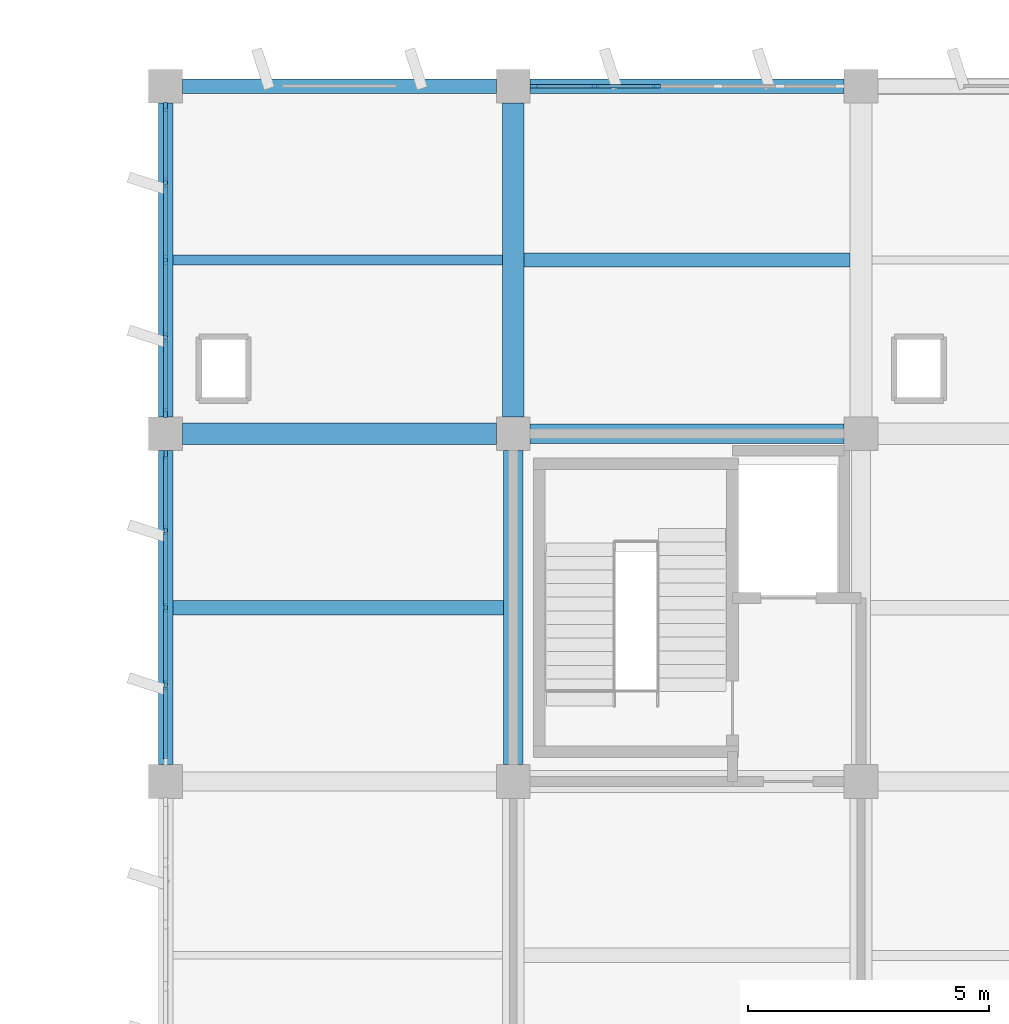
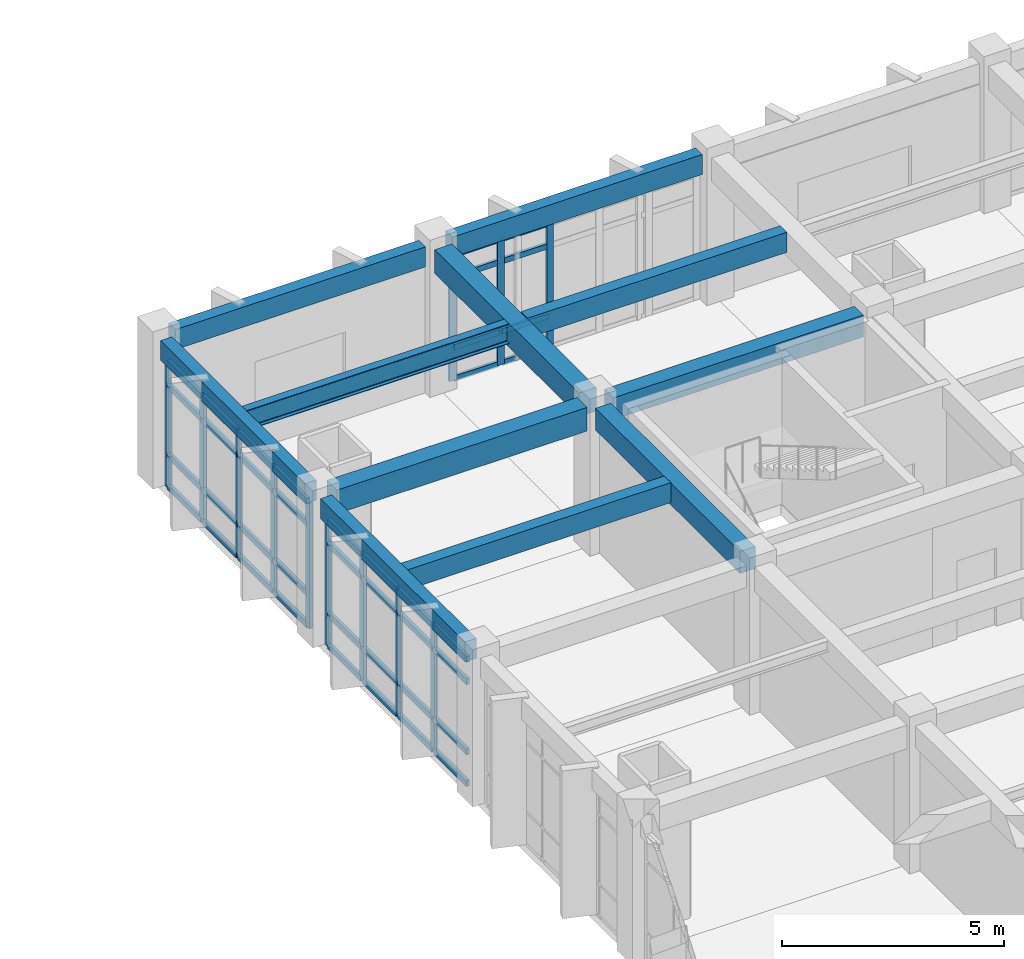
# One storey, part 20 of 70: 53 members, 10 beams, 3 elements without a shape of their own.
"""IFC4 building model written with IfcOpenShell, lengths in metres."""

import ifcopenshell
import ifcopenshell.guid

model = None  # the IFC model being written
_history = None  # IfcOwnerHistory: only IFC2X3 demands one
_inside = {}  # id of a spatial element -> (the spatial element, [elements in it])
_under = {}  # id of a project, library or spatial element -> (it, [spatial elements below it])
_declared = {}  # id of a project -> (the project, [libraries it declares])
_typed = {}  # id of a type object -> (the type object, [elements of that type])
_made_of = {}  # id of a material, layer set ... -> (it, [elements and type objects made of it])


def new_model(schema):
    """Start an empty IFC model of exactly this schema.

    Asked for "IFC4X3", IfcOpenShell would pick the latest addendum, in which some entities
    have other attributes; the version numbers below select the first issue.
    IFC2X3 requires an IfcOwnerHistory on every rooted entity: one is made here for all.
    """
    global model, _history
    if schema == "IFC4X3":
        model = ifcopenshell.file(schema_version=(4, 3, 0, 0))
    else:
        model = ifcopenshell.file(schema=schema)
    _inside.clear()
    _under.clear()
    _declared.clear()
    _typed.clear()
    _made_of.clear()
    _history = None
    if model.schema == "IFC2X3":
        org = make("IfcOrganization", Name="unknown")
        user = make(
            "IfcPersonAndOrganization",
            ThePerson=make("IfcPerson", FamilyName="unknown"),
            TheOrganization=org,
        )
        app = make(
            "IfcApplication",
            ApplicationDeveloper=org,
            Version="unknown",
            ApplicationFullName="unknown",
            ApplicationIdentifier="unknown",
        )
        _history = make(
            "IfcOwnerHistory",
            OwningUser=user,
            OwningApplication=app,
            ChangeAction="ADDED",
            CreationDate=0,
        )
    return model


def make(cls, **values):
    """One entity of the class cls with the attributes given. An attribute that is None is left unset."""
    return model.create_entity(
        cls, **{name: value for name, value in values.items() if value is not None}
    )


def rooted(cls, **values):
    """An entity with a GlobalId (a new one), such as an element, a storey or a relation."""
    return make(cls, GlobalId=ifcopenshell.guid.new(), OwnerHistory=_history, **values)


def si_unit(unit_type, name, prefix=None):
    """IfcSIUnit, for example si_unit("LENGTHUNIT", "METRE", prefix="MILLI")."""
    return make("IfcSIUnit", UnitType=unit_type, Prefix=prefix, Name=name)


def assignment(units):
    """IfcUnitAssignment: the units of a project."""
    return None if units is None else make("IfcUnitAssignment", Units=units)


def point(xyz):
    """IfcCartesianPoint."""
    return None if xyz is None else make("IfcCartesianPoint", Coordinates=xyz)


def direction(xyz):
    """IfcDirection."""
    return None if xyz is None else make("IfcDirection", DirectionRatios=xyz)


def frame(location, z_axis=None, x_axis=None):
    """IfcAxis2Placement3D, a coordinate frame: its origin and axes. An axis left out is left unset."""
    return make(
        "IfcAxis2Placement3D",
        Location=point(location),
        Axis=direction(z_axis),
        RefDirection=direction(x_axis),
    )


def frame_2d(location, x_axis=None):
    """IfcAxis2Placement2D, a coordinate frame in the plane: its origin and x axis."""
    return make(
        "IfcAxis2Placement2D", Location=point(location), RefDirection=direction(x_axis)
    )


def origin():
    """The frame at (0, 0, 0) with its axes left unset."""
    return frame((0.0, 0.0, 0.0))


def origin_2d():
    """The frame at (0, 0) in the plane with its x axis left unset."""
    return frame_2d((0.0, 0.0))


def place(relative_to, where):
    """IfcLocalPlacement: puts the frame where relative to a parent placement (None: the world)."""
    return make(
        "IfcLocalPlacement", PlacementRelTo=relative_to, RelativePlacement=where
    )


def context(
    kind, dimensions, precision=None, world=None, true_north=None, identifier=None
):
    """IfcGeometricRepresentationContext, for example the 3D "Model" context."""
    return make(
        "IfcGeometricRepresentationContext",
        ContextIdentifier=identifier,
        ContextType=kind,
        CoordinateSpaceDimension=dimensions,
        Precision=precision,
        WorldCoordinateSystem=world,
        TrueNorth=true_north,
    )


def subcontext(parent, identifier, kind, view, scale=None):
    """IfcGeometricRepresentationSubContext, for example "Body" below "Model"."""
    return make(
        "IfcGeometricRepresentationSubContext",
        ContextIdentifier=identifier,
        ContextType=kind,
        ParentContext=parent,
        TargetScale=scale,
        TargetView=view,
    )


def project(units=None, contexts=None):
    """IfcProject with its units and contexts."""
    return rooted(
        "IfcProject",
        Name="project",
        RepresentationContexts=contexts,
        UnitsInContext=assignment(units),
    )


def spatial(cls, under=None, at=None, **own):
    """A site, building, storey or space (cls), placed at a placement, below another one or the project."""
    s = rooted(cls, ObjectPlacement=at, **own)
    if under is not None:
        _under.setdefault(under.id(), (under, []))[1].append(s)
    return s


def profile(cls, at=None, kind="AREA", **sizes):
    """A parametric profile (cls). Its sizes go by their IFC names, for example OverallWidth=200.0."""
    return make(cls, ProfileType=kind, Position=at, **sizes)


def rectangle(**sizes):
    """IfcRectangleProfileDef."""
    return profile("IfcRectangleProfileDef", **sizes)


def i_section(**sizes):
    """IfcIShapeProfileDef."""
    return profile("IfcIShapeProfileDef", **sizes)


def extrude(swept, where, along, depth):
    """IfcExtrudedAreaSolid: the profile swept, set in the frame where, extruded along a direction by depth."""
    return make(
        "IfcExtrudedAreaSolid",
        SweptArea=swept,
        Position=where,
        ExtrudedDirection=direction(along),
        Depth=depth,
    )


def shape(context_of_items, identifier, shape_type, items):
    """IfcShapeRepresentation: the items that make up one representation, for example the "Body"."""
    return make(
        "IfcShapeRepresentation",
        ContextOfItems=context_of_items,
        RepresentationIdentifier=identifier,
        RepresentationType=shape_type,
        Items=items,
    )


def material(Name=None, Category=None):
    """IfcMaterial."""
    return make("IfcMaterial", Name=Name, Category=Category)


def layer(
    of_material, thickness, ventilated=None, Name=None, Category=None, Priority=None
):
    """IfcMaterialLayer: one layer of a wall or slab, of a material (None: an air gap)."""
    return make(
        "IfcMaterialLayer",
        Material=of_material,
        LayerThickness=thickness,
        IsVentilated=ventilated,
        Name=Name,
        Category=Category,
        Priority=Priority,
    )


def layer_set(layers, Name=None):
    """IfcMaterialLayerSet."""
    return make("IfcMaterialLayerSet", MaterialLayers=layers, LayerSetName=Name)


def material_profile(
    of_material, cross_section, Name=None, Category=None, Priority=None
):
    """IfcMaterialProfile: a cross section and its material."""
    return make(
        "IfcMaterialProfile",
        Name=Name,
        Material=of_material,
        Profile=cross_section,
        Priority=Priority,
        Category=Category,
    )


def profile_set(profiles, Name=None, composite=None):
    """IfcMaterialProfileSet."""
    return make(
        "IfcMaterialProfileSet",
        Name=Name,
        MaterialProfiles=profiles,
        CompositeProfile=composite,
    )


def made_of(thing, what):
    """Note that an element or type object is made of a material, layer set ...; save() writes the relation."""
    if what is not None:
        _made_of.setdefault(what.id(), (what, []))[1].append(thing)
    return thing


def type_object(cls, material=None, **own):
    """A type object (cls), such as IfcWallType, which elements share."""
    return made_of(rooted(cls, **own), material)


def element(
    cls,
    number,
    at=None,
    inside=None,
    cuts=None,
    type_object=None,
    material=None,
    context=None,
    identifier="Body",
    shape_type=None,
    held_by="IfcProductDefinitionShape",
    body=None,
    shapes=None,
    **own,
):
    """One element of the class cls, such as IfcWall. Its Tag is "e" and its number.

    at: its placement. inside: the storey or other place that contains it. cuts: it is an
    opening in that element (IfcRelVoidsElement). A single representation is given by context,
    identifier, shape_type and body (its items); several are given by shapes. held_by: the class
    of the entity that holds the representations. save() writes the other relations.
    """
    e = rooted(cls, Tag="e%d" % number, ObjectPlacement=at, **own)
    if body is not None:
        shapes = [shape(context, identifier, shape_type, body)]
    if shapes is not None:
        e.Representation = make(held_by, Representations=shapes)
    if inside is not None:
        _inside.setdefault(inside.id(), (inside, []))[1].append(e)
    if cuts is not None:
        rooted(
            "IfcRelVoidsElement", RelatingBuildingElement=cuts, RelatedOpeningElement=e
        )
    if type_object is not None:
        _typed.setdefault(type_object.id(), (type_object, []))[1].append(e)
    return made_of(e, material)


def aggregate(whole, parts):
    """IfcRelAggregates: a whole, such as a stair, and the parts it consists of."""
    return rooted("IfcRelAggregates", RelatingObject=whole, RelatedObjects=parts)


def save(model, path):
    """Write the relations noted so far, then the file.

    IfcRelAggregates (storeys below a building ...), IfcRelContainedInSpatialStructure (elements
    in a storey), IfcRelDefinesByType, IfcRelAssociatesMaterial and IfcRelDeclares: one each for
    every whole, place, type object, material and project.
    """
    for whole, parts in _under.values():
        aggregate(whole, parts)
    for where, things in _inside.values():
        rooted(
            "IfcRelContainedInSpatialStructure",
            RelatedElements=things,
            RelatingStructure=where,
        )
    for kind, things in _typed.values():
        rooted("IfcRelDefinesByType", RelatedObjects=things, RelatingType=kind)
    for what, things in _made_of.values():
        rooted("IfcRelAssociatesMaterial", RelatedObjects=things, RelatingMaterial=what)
    for by, libraries in _declared.values():
        rooted("IfcRelDeclares", RelatingContext=by, RelatedDefinitions=libraries)
    model.write(path)


model = new_model("IFC4")

# Units and contexts
model_context = context("Model", 3, precision=1e-05, world=origin(), true_north=direction((0.0, 1.0)))
body_context = subcontext(model_context, "Body", "Model", "MODEL_VIEW")
ifc_project = project(units=[si_unit("LENGTHUNIT", "METRE"), si_unit("AREAUNIT", "SQUARE_METRE"), si_unit("VOLUMEUNIT", "CUBIC_METRE"), si_unit("PLANEANGLEUNIT", "RADIAN"), si_unit("MASSUNIT", "GRAM", prefix="KILO")], contexts=[model_context])

# Site, building, storey
site_placement = place(None, origin())
site = spatial("IfcSite", under=ifc_project, at=site_placement, CompositionType="ELEMENT")
building_placement = place(site_placement, origin())
building = spatial("IfcBuilding", under=site, at=building_placement, Name="Kavelor Marine Aquarium", CompositionType="ELEMENT")
storey_placement = place(building_placement, frame((0.0, 0.0, 9.179931640625)))
storey = spatial("IfcBuildingStorey", under=building, at=storey_placement, Name="L02", CompositionType="ELEMENT", Elevation=9.179931640625)

# Beams
ifc_material_1 = material(Name="Concrete C40/50", Category="concrete")
ifc_material_profile_1 = material_profile(ifc_material_1, rectangle(XDim=0.449951171875, YDim=0.64990234375, at=origin_2d()), Name="RC-BM 450x650")
ifc_profile_set_1 = profile_set([ifc_material_profile_1], Name="Concrete C40/50")
beam_type_1 = type_object("IfcBeamType", Name="BM-B3", PredefinedType="BEAM", material=ifc_profile_set_1)
for number, where, z_axis, x_axis, name in (
    (1, (118.75, 103.60009765625, 3.695068359375), (1.0, 0.0, 0.0), (0.0, 1.0, 0.0), "bm:x:L02:L03:16_14"),
    (2, (125.60009765625, 103.949951171875, 3.695068359375), (0.0, 1.0, 0.0), (-1.0, 0.0, 0.0), "bm:y:L02:L03:17_14"),
):
    element("IfcBeam", number, at=place(storey_placement, frame(where, z_axis=z_axis, x_axis=x_axis)), inside=storey, type_object=beam_type_1, Name=name, PredefinedType="BEAM", context=body_context, shape_type="SweptSolid", body=[
        extrude(rectangle(XDim=0.449951171875, YDim=0.64990234375, at=origin_2d()), origin(), (0.0, 0.0, 1.0), 6.5),
    ])
ifc_material_2 = material(Name="Concrete C40/50", Category="concrete")
ifc_material_profile_2 = material_profile(ifc_material_2, rectangle(XDim=0.39990234375, YDim=0.60009765625, at=origin_2d()), Name="RC-BM 400x600")
ifc_profile_set_2 = profile_set([ifc_material_profile_2], Name="Concrete C40/50")
beam_type_2 = type_object("IfcBeamType", Name="BM-B4", PredefinedType="BEAM", material=ifc_profile_set_2)
for number, where, z_axis, x_axis, name in (
    (3, (125.949951171875, 103.60009765625, 3.719970703125), (1.0, 0.0, 0.0), (0.0, 1.0, 0.0), "bm:x:L02:L03:17_14"),
    (4, (125.60009765625, 96.75, 3.719970703125), (0.0, 1.0, 0.0), (-1.0, 0.0, 0.0), "bm:y:L02:L03:17_13"),
):
    element("IfcBeam", number, at=place(storey_placement, frame(where, z_axis=z_axis, x_axis=x_axis)), inside=storey, type_object=beam_type_2, Name=name, PredefinedType="BEAM", context=body_context, shape_type="SweptSolid", body=[
        extrude(rectangle(XDim=0.39990234375, YDim=0.60009765625, at=origin_2d()), origin(), (0.0, 0.0, 1.0), 6.5),
    ])
ifc_material_3 = material(Name="Concrete C40/50", Category="concrete")
ifc_material_profile_3 = material_profile(ifc_material_3, rectangle(XDim=0.300048828125, YDim=0.550048828125, at=origin_2d()), Name="RC-JS 300x550")
ifc_profile_set_3 = profile_set([ifc_material_profile_3], Name="Concrete C40/50")
beam_type_3 = type_object("IfcBeamType", Name="BM-JS2", PredefinedType="JOIST", material=ifc_profile_set_3)
beam_1_placement = place(storey_placement, frame((118.550048828125, 100.0, 3.76513671875), z_axis=(1.0, 0.0, 0.0), x_axis=(0.0, 1.0, 0.0)))
element("IfcBeam", 5, at=beam_1_placement, inside=storey, type_object=beam_type_3, Name="js:L02:L03:16_13", PredefinedType="JOIST", context=body_context, shape_type="SweptSolid", body=[
    extrude(rectangle(XDim=0.300048828125, YDim=0.550048828125, at=origin_2d()), origin(), (0.0, 0.0, 1.0), 6.849853515625),
])
beam_2_placement = place(storey_placement, frame((125.824951171875, 107.199951171875, 3.76513671875), z_axis=(1.0, 0.0, 0.0), x_axis=(0.0, 1.0, 0.0)))
element("IfcBeam", 6, at=beam_2_placement, inside=storey, type_object=beam_type_3, Name="js:L02:L03:17_14", PredefinedType="JOIST", context=body_context, shape_type="SweptSolid", body=[
    extrude(rectangle(XDim=0.300048828125, YDim=0.550048828125, at=origin_2d()), origin(), (0.0, 0.0, 1.0), 6.75),
])
ifc_material_4 = material(Name="Concrete C40/50", Category="concrete")
ifc_material_profile_4 = material_profile(ifc_material_4, rectangle(XDim=0.300048828125, YDim=0.550048828125, at=origin_2d()), Name="RC-SP 300x550")
ifc_profile_set_4 = profile_set([ifc_material_profile_4], Name="Concrete C40/50")
beam_type_4 = type_object("IfcBeamType", Name="BM-SP2", PredefinedType="SPANDREL", material=ifc_profile_set_4)
for number, where, z_axis, x_axis, name in (
    (7, (118.75, 110.800048828125, 3.7451171875), (1.0, 0.0, 0.0), (0.0, 1.0, 0.0), "bm:x:L02:L03:16_15"),
    (8, (125.949951171875, 110.800048828125, 3.76513671875), (1.0, 0.0, 0.0), (0.0, 1.0, 0.0), "bm:x:L02:L03:17_15"),
    (9, (118.39990234375, 96.75, 3.76513671875), (0.0, 1.0, 0.0), (-1.0, 0.0, 0.0), "bm:y:L02:L03:16_13"),
    (10, (118.39990234375, 103.949951171875, 3.7451171875), (0.0, 1.0, 0.0), (-1.0, 0.0, 0.0), "bm:y:L02:L03:16_14"),
):
    element("IfcBeam", number, at=place(storey_placement, frame(where, z_axis=z_axis, x_axis=x_axis)), inside=storey, type_object=beam_type_4, Name=name, PredefinedType="SPANDREL", context=body_context, shape_type="SweptSolid", body=[
        extrude(rectangle(XDim=0.300048828125, YDim=0.550048828125, at=origin_2d()), origin(), (0.0, 0.0, 1.0), 6.5),
    ])

# Curtain wall, members
ifc_material_5 = material(Name="Thermally Broken Aluminium and Low-E Glass", Category="aluminium")
ifc_layer_1 = layer(ifc_material_5, 0.196044921875)
ifc_layer_set_1 = layer_set([ifc_layer_1], Name="CW-SYS7")
curtain_wall_type_1 = type_object("IfcCurtainWallType", Name="CW-SYS7", PredefinedType="USERDEFINED", material=ifc_layer_set_1)
curtain_wall_1_placement = place(storey_placement, origin())
curtain_wall_1 = element("IfcCurtainWall", 11, at=curtain_wall_1_placement, inside=storey, type_object=curtain_wall_type_1, Name="cw:x:L02:17_15", ObjectType="Curtain Wall", PredefinedType="USERDEFINED")
ifc_material_6 = material(Name="Anodised Aluminium Alloy 6063-T6", Category="aluminium")
ifc_material_profile_5 = material_profile(ifc_material_6, rectangle(XDim=0.074951171875, YDim=0.179931640625, at=origin_2d()), Name="CW-MUL 75x180")
ifc_profile_set_5 = profile_set([ifc_material_profile_5], Name="Anodised Aluminium Alloy 6063-T6")
member_type_1 = type_object("IfcMemberType", Name="CWM-1", PredefinedType="MULLION", material=ifc_profile_set_5)
member_1_placement = place(storey_placement, frame((126.032470703125, 110.800048828125, 0.0), z_axis=(0.0, 0.0, 1.0), x_axis=(0.0, 1.0, 0.0)))
member_1 = element("IfcMember", 12, at=member_1_placement, type_object=member_type_1, Name="CW07 mullion 1", PredefinedType="MULLION", context=body_context, shape_type="SweptSolid", body=[
    extrude(rectangle(XDim=0.074951171875, YDim=0.179931640625, at=origin_2d()), origin(), (0.0, 0.0, 1.0), 3.47998046875),
])
member_2_placement = place(storey_placement, frame((127.277099609375, 110.800048828125, 0.0), z_axis=(0.0, 0.0, 1.0), x_axis=(0.0, 1.0, 0.0)))
member_2 = element("IfcMember", 13, at=member_2_placement, type_object=member_type_1, Name="CW07 mullion 2", PredefinedType="MULLION", context=body_context, shape_type="SweptSolid", body=[
    extrude(rectangle(XDim=0.074951171875, YDim=0.179931640625, at=origin_2d()), origin(), (0.0, 0.0, 1.0), 3.47998046875),
])
member_3_placement = place(storey_placement, frame((128.55908203125, 110.800048828125, 0.0), z_axis=(0.0, 0.0, 1.0), x_axis=(0.0, 1.0, 0.0)))
member_3 = element("IfcMember", 14, at=member_3_placement, type_object=member_type_1, Name="CW07 mullion 3", PredefinedType="MULLION", context=body_context, shape_type="SweptSolid", body=[
    extrude(rectangle(XDim=0.074951171875, YDim=0.179931640625, at=origin_2d()), origin(), (0.0, 0.0, 1.0), 3.47998046875),
])

ifc_material_7 = material(Name="Thermally Broken Aluminium and Low-E Glass", Category="aluminium")
ifc_layer_2 = layer(ifc_material_7, 0.219970703125)
ifc_layer_set_2 = layer_set([ifc_layer_2], Name="CW-SYS10")
curtain_wall_type_2 = type_object("IfcCurtainWallType", Name="CW-SYS10", PredefinedType="USERDEFINED", material=ifc_layer_set_2)
curtain_wall_2_placement = place(storey_placement, origin())
curtain_wall_2 = element("IfcCurtainWall", 15, at=curtain_wall_2_placement, inside=storey, type_object=curtain_wall_type_2, Name="cw:y:L02:16_13", ObjectType="Curtain Wall", PredefinedType="USERDEFINED")
member_4_placement = place(storey_placement, frame((118.39990234375, 103.16748046875, 0.0), z_axis=(0.0, 0.0, 1.0), x_axis=(1.0, 0.0, 0.0)))
member_4 = element("IfcMember", 16, at=member_4_placement, type_object=member_type_1, Name="CW10 mullion 1", PredefinedType="MULLION", context=body_context, shape_type="SweptSolid", body=[
    extrude(rectangle(XDim=0.074951171875, YDim=0.179931640625, at=origin_2d()), origin(), (0.0, 0.0, 1.0), 3.47998046875),
])
member_5_placement = place(storey_placement, frame((118.39990234375, 101.6025390625, 0.0), z_axis=(0.0, 0.0, 1.0), x_axis=(1.0, 0.0, 0.0)))
member_5 = element("IfcMember", 17, at=member_5_placement, type_object=member_type_1, Name="CW10 mullion 2", PredefinedType="MULLION", context=body_context, shape_type="SweptSolid", body=[
    extrude(rectangle(XDim=0.074951171875, YDim=0.179931640625, at=origin_2d()), origin(), (0.0, 0.0, 1.0), 3.47998046875),
])
member_6_placement = place(storey_placement, frame((118.39990234375, 100.0, 0.0), z_axis=(0.0, 0.0, 1.0), x_axis=(1.0, 0.0, 0.0)))
member_6 = element("IfcMember", 18, at=member_6_placement, type_object=member_type_1, Name="CW10 mullion 3", PredefinedType="MULLION", context=body_context, shape_type="SweptSolid", body=[
    extrude(rectangle(XDim=0.074951171875, YDim=0.179931640625, at=origin_2d()), origin(), (0.0, 0.0, 1.0), 3.47998046875),
])
member_7_placement = place(storey_placement, frame((118.39990234375, 98.3974609375, 0.0), z_axis=(0.0, 0.0, 1.0), x_axis=(1.0, 0.0, 0.0)))
member_7 = element("IfcMember", 19, at=member_7_placement, type_object=member_type_1, Name="CW10 mullion 4", PredefinedType="MULLION", context=body_context, shape_type="SweptSolid", body=[
    extrude(rectangle(XDim=0.074951171875, YDim=0.179931640625, at=origin_2d()), origin(), (0.0, 0.0, 1.0), 3.47998046875),
])

ifc_material_8 = material(Name="Thermally Broken Aluminium and Low-E Glass", Category="aluminium")
ifc_layer_3 = layer(ifc_material_8, 0.22802734375)
ifc_layer_set_3 = layer_set([ifc_layer_3], Name="CW-SYS11")
curtain_wall_type_3 = type_object("IfcCurtainWallType", Name="CW-SYS11", PredefinedType="USERDEFINED", material=ifc_layer_set_3)
curtain_wall_3_placement = place(storey_placement, origin())
curtain_wall_3 = element("IfcCurtainWall", 20, at=curtain_wall_3_placement, inside=storey, type_object=curtain_wall_type_3, Name="cw:y:L02:16_14", ObjectType="Curtain Wall", PredefinedType="USERDEFINED")
ifc_material_9 = material(Name="Anodised Aluminium Alloy 6063-T6", Category="aluminium")
ifc_material_profile_6 = material_profile(ifc_material_9, rectangle(XDim=0.080078125, YDim=0.18505859375, at=origin_2d()), Name="CW-MUL 80x185")
ifc_profile_set_6 = profile_set([ifc_material_profile_6], Name="Anodised Aluminium Alloy 6063-T6")
member_type_2 = type_object("IfcMemberType", Name="CWM-2", PredefinedType="MULLION", material=ifc_profile_set_6)
member_8_placement = place(storey_placement, frame((118.39990234375, 110.37255859375, 0.0), z_axis=(0.0, 0.0, 1.0), x_axis=(1.0, 0.0, 0.0)))
member_8 = element("IfcMember", 21, at=member_8_placement, type_object=member_type_2, Name="CW11 mullion 1", PredefinedType="MULLION", context=body_context, shape_type="SweptSolid", body=[
    extrude(rectangle(XDim=0.080078125, YDim=0.18505859375, at=origin_2d()), origin(), (0.0, 0.0, 1.0), 3.4599609375),
])
member_9_placement = place(storey_placement, frame((118.39990234375, 108.802490234375, 0.0), z_axis=(0.0, 0.0, 1.0), x_axis=(1.0, 0.0, 0.0)))
member_9 = element("IfcMember", 22, at=member_9_placement, type_object=member_type_2, Name="CW11 mullion 2", PredefinedType="MULLION", context=body_context, shape_type="SweptSolid", body=[
    extrude(rectangle(XDim=0.080078125, YDim=0.18505859375, at=origin_2d()), origin(), (0.0, 0.0, 1.0), 3.4599609375),
])
member_10_placement = place(storey_placement, frame((118.39990234375, 107.199951171875, 0.0), z_axis=(0.0, 0.0, 1.0), x_axis=(1.0, 0.0, 0.0)))
member_10 = element("IfcMember", 23, at=member_10_placement, type_object=member_type_2, Name="CW11 mullion 3", PredefinedType="MULLION", context=body_context, shape_type="SweptSolid", body=[
    extrude(rectangle(XDim=0.080078125, YDim=0.18505859375, at=origin_2d()), origin(), (0.0, 0.0, 1.0), 3.4599609375),
])
member_11_placement = place(storey_placement, frame((118.39990234375, 105.597412109375, 0.0), z_axis=(0.0, 0.0, 1.0), x_axis=(1.0, 0.0, 0.0)))
member_11 = element("IfcMember", 24, at=member_11_placement, type_object=member_type_2, Name="CW11 mullion 4", PredefinedType="MULLION", context=body_context, shape_type="SweptSolid", body=[
    extrude(rectangle(XDim=0.080078125, YDim=0.18505859375, at=origin_2d()), origin(), (0.0, 0.0, 1.0), 3.4599609375),
])
member_12_placement = place(storey_placement, frame((118.39990234375, 104.027587890625, 0.0), z_axis=(0.0, 0.0, 1.0), x_axis=(1.0, 0.0, 0.0)))
member_12 = element("IfcMember", 25, at=member_12_placement, type_object=member_type_2, Name="CW11 mullion 5", PredefinedType="MULLION", context=body_context, shape_type="SweptSolid", body=[
    extrude(rectangle(XDim=0.080078125, YDim=0.18505859375, at=origin_2d()), origin(), (0.0, 0.0, 1.0), 3.4599609375),
])

# Member
ifc_material_10 = material(Name="Anodised Aluminium Alloy 6063-T6", Category="aluminium")
ifc_material_profile_7 = material_profile(ifc_material_10, rectangle(XDim=0.074951171875, YDim=0.14990234375, at=origin_2d()), Name="CW-TRN 75x150")
ifc_profile_set_7 = profile_set([ifc_material_profile_7], Name="Anodised Aluminium Alloy 6063-T6")
member_type_3 = type_object("IfcMemberType", Name="CWT-1", PredefinedType="USERDEFINED", material=ifc_profile_set_7)
member_13_placement = place(storey_placement, frame((126.070068359375, 110.800048828125, 0.03759765625), z_axis=(1.0, 0.0, 0.0), x_axis=(0.0, 1.0, 0.0)))
member_13 = element("IfcMember", 26, at=member_13_placement, type_object=member_type_3, Name="CW07 transom 1.1", ObjectType="TRANSOM", PredefinedType="USERDEFINED", context=body_context, shape_type="SweptSolid", body=[
    extrude(rectangle(XDim=0.074951171875, YDim=0.14990234375, at=origin_2d()), origin(), (0.0, 0.0, 1.0), 1.16943359375),
])

member_14_placement = place(storey_placement, frame((126.070068359375, 110.800048828125, 0.900146484375), z_axis=(1.0, 0.0, 0.0), x_axis=(0.0, 1.0, 0.0)))
member_14 = element("IfcMember", 27, at=member_14_placement, type_object=member_type_3, Name="CW07 transom 1.2", ObjectType="TRANSOM", PredefinedType="USERDEFINED", context=body_context, shape_type="SweptSolid", body=[
    extrude(rectangle(XDim=0.074951171875, YDim=0.14990234375, at=origin_2d()), origin(), (0.0, 0.0, 1.0), 1.16943359375),
])

member_15_placement = place(storey_placement, frame((126.070068359375, 110.800048828125, 2.830078125), z_axis=(1.0, 0.0, 0.0), x_axis=(0.0, 1.0, 0.0)))
member_15 = element("IfcMember", 28, at=member_15_placement, type_object=member_type_3, Name="CW07 transom 1.3", ObjectType="TRANSOM", PredefinedType="USERDEFINED", context=body_context, shape_type="SweptSolid", body=[
    extrude(rectangle(XDim=0.074951171875, YDim=0.14990234375, at=origin_2d()), origin(), (0.0, 0.0, 1.0), 1.16943359375),
])

member_16_placement = place(storey_placement, frame((126.070068359375, 110.800048828125, 3.442626953125), z_axis=(1.0, 0.0, 0.0), x_axis=(0.0, 1.0, 0.0)))
member_16 = element("IfcMember", 29, at=member_16_placement, type_object=member_type_3, Name="CW07 transom 1.4", ObjectType="TRANSOM", PredefinedType="USERDEFINED", context=body_context, shape_type="SweptSolid", body=[
    extrude(rectangle(XDim=0.074951171875, YDim=0.14990234375, at=origin_2d()), origin(), (0.0, 0.0, 1.0), 1.16943359375),
])

member_17_placement = place(storey_placement, frame((127.314453125, 110.800048828125, 0.03759765625), z_axis=(1.0, 0.0, 0.0), x_axis=(0.0, 1.0, 0.0)))
member_17 = element("IfcMember", 30, at=member_17_placement, type_object=member_type_3, Name="CW07 transom 2.1", ObjectType="TRANSOM", PredefinedType="USERDEFINED", context=body_context, shape_type="SweptSolid", body=[
    extrude(rectangle(XDim=0.074951171875, YDim=0.14990234375, at=origin_2d()), origin(), (0.0, 0.0, 1.0), 1.20703125),
])

member_18_placement = place(storey_placement, frame((127.314453125, 110.800048828125, 0.900146484375), z_axis=(1.0, 0.0, 0.0), x_axis=(0.0, 1.0, 0.0)))
member_18 = element("IfcMember", 31, at=member_18_placement, type_object=member_type_3, Name="CW07 transom 2.2", ObjectType="TRANSOM", PredefinedType="USERDEFINED", context=body_context, shape_type="SweptSolid", body=[
    extrude(rectangle(XDim=0.074951171875, YDim=0.14990234375, at=origin_2d()), origin(), (0.0, 0.0, 1.0), 1.20703125),
])

member_19_placement = place(storey_placement, frame((127.314453125, 110.800048828125, 2.830078125), z_axis=(1.0, 0.0, 0.0), x_axis=(0.0, 1.0, 0.0)))
member_19 = element("IfcMember", 32, at=member_19_placement, type_object=member_type_3, Name="CW07 transom 2.3", ObjectType="TRANSOM", PredefinedType="USERDEFINED", context=body_context, shape_type="SweptSolid", body=[
    extrude(rectangle(XDim=0.074951171875, YDim=0.14990234375, at=origin_2d()), origin(), (0.0, 0.0, 1.0), 1.20703125),
])

member_20_placement = place(storey_placement, frame((127.314453125, 110.800048828125, 3.442626953125), z_axis=(1.0, 0.0, 0.0), x_axis=(0.0, 1.0, 0.0)))
member_20 = element("IfcMember", 33, at=member_20_placement, type_object=member_type_3, Name="CW07 transom 2.4", ObjectType="TRANSOM", PredefinedType="USERDEFINED", context=body_context, shape_type="SweptSolid", body=[
    extrude(rectangle(XDim=0.074951171875, YDim=0.14990234375, at=origin_2d()), origin(), (0.0, 0.0, 1.0), 1.20703125),
])

aggregate(curtain_wall_1, [member_1, member_2, member_3, member_13, member_14, member_15, member_16, member_17, member_18, member_19, member_20])

ifc_material_11 = material(Name="Anodised Aluminium Alloy 6063-T6", Category="aluminium")
ifc_material_profile_8 = material_profile(ifc_material_11, rectangle(XDim=0.0849609375, YDim=0.159912109375, at=origin_2d()), Name="CW-TRN 85x160")
ifc_profile_set_8 = profile_set([ifc_material_profile_8], Name="Anodised Aluminium Alloy 6063-T6")
member_type_4 = type_object("IfcMemberType", Name="CWT-3", PredefinedType="USERDEFINED", material=ifc_profile_set_8)
member_21_placement = place(storey_placement, frame((118.39990234375, 103.1298828125, 0.030029296875), z_axis=(0.0, -1.0, 0.0), x_axis=(1.0, 0.0, 0.0)))
member_21 = element("IfcMember", 34, at=member_21_placement, type_object=member_type_4, Name="CW10 transom 1.1", ObjectType="TRANSOM", PredefinedType="USERDEFINED", context=body_context, shape_type="SweptSolid", body=[
    extrude(rectangle(XDim=0.0849609375, YDim=0.159912109375, at=origin_2d()), origin(), (0.0, 0.0, 1.0), 1.489990234375),
])

member_22_placement = place(storey_placement, frame((118.39990234375, 103.1298828125, 0.900146484375), z_axis=(0.0, -1.0, 0.0), x_axis=(1.0, 0.0, 0.0)))
member_22 = element("IfcMember", 35, at=member_22_placement, type_object=member_type_4, Name="CW10 transom 1.2", ObjectType="TRANSOM", PredefinedType="USERDEFINED", context=body_context, shape_type="SweptSolid", body=[
    extrude(rectangle(XDim=0.0849609375, YDim=0.159912109375, at=origin_2d()), origin(), (0.0, 0.0, 1.0), 1.489990234375),
])

member_23_placement = place(storey_placement, frame((118.39990234375, 103.1298828125, 2.830078125), z_axis=(0.0, -1.0, 0.0), x_axis=(1.0, 0.0, 0.0)))
member_23 = element("IfcMember", 36, at=member_23_placement, type_object=member_type_4, Name="CW10 transom 1.3", ObjectType="TRANSOM", PredefinedType="USERDEFINED", context=body_context, shape_type="SweptSolid", body=[
    extrude(rectangle(XDim=0.0849609375, YDim=0.159912109375, at=origin_2d()), origin(), (0.0, 0.0, 1.0), 1.489990234375),
])

member_24_placement = place(storey_placement, frame((118.39990234375, 103.1298828125, 3.449951171875), z_axis=(0.0, -1.0, 0.0), x_axis=(1.0, 0.0, 0.0)))
member_24 = element("IfcMember", 37, at=member_24_placement, type_object=member_type_4, Name="CW10 transom 1.4", ObjectType="TRANSOM", PredefinedType="USERDEFINED", context=body_context, shape_type="SweptSolid", body=[
    extrude(rectangle(XDim=0.0849609375, YDim=0.159912109375, at=origin_2d()), origin(), (0.0, 0.0, 1.0), 1.489990234375),
])

member_25_placement = place(storey_placement, frame((118.39990234375, 101.56494140625, 0.030029296875), z_axis=(0.0, -1.0, 0.0), x_axis=(1.0, 0.0, 0.0)))
member_25 = element("IfcMember", 38, at=member_25_placement, type_object=member_type_4, Name="CW10 transom 2.1", ObjectType="TRANSOM", PredefinedType="USERDEFINED", context=body_context, shape_type="SweptSolid", body=[
    extrude(rectangle(XDim=0.0849609375, YDim=0.159912109375, at=origin_2d()), origin(), (0.0, 0.0, 1.0), 1.52734375),
])

member_26_placement = place(storey_placement, frame((118.39990234375, 101.56494140625, 0.900146484375), z_axis=(0.0, -1.0, 0.0), x_axis=(1.0, 0.0, 0.0)))
member_26 = element("IfcMember", 39, at=member_26_placement, type_object=member_type_4, Name="CW10 transom 2.2", ObjectType="TRANSOM", PredefinedType="USERDEFINED", context=body_context, shape_type="SweptSolid", body=[
    extrude(rectangle(XDim=0.0849609375, YDim=0.159912109375, at=origin_2d()), origin(), (0.0, 0.0, 1.0), 1.52734375),
])

member_27_placement = place(storey_placement, frame((118.39990234375, 101.56494140625, 2.830078125), z_axis=(0.0, -1.0, 0.0), x_axis=(1.0, 0.0, 0.0)))
member_27 = element("IfcMember", 40, at=member_27_placement, type_object=member_type_4, Name="CW10 transom 2.3", ObjectType="TRANSOM", PredefinedType="USERDEFINED", context=body_context, shape_type="SweptSolid", body=[
    extrude(rectangle(XDim=0.0849609375, YDim=0.159912109375, at=origin_2d()), origin(), (0.0, 0.0, 1.0), 1.52734375),
])

member_28_placement = place(storey_placement, frame((118.39990234375, 101.56494140625, 3.449951171875), z_axis=(0.0, -1.0, 0.0), x_axis=(1.0, 0.0, 0.0)))
member_28 = element("IfcMember", 41, at=member_28_placement, type_object=member_type_4, Name="CW10 transom 2.4", ObjectType="TRANSOM", PredefinedType="USERDEFINED", context=body_context, shape_type="SweptSolid", body=[
    extrude(rectangle(XDim=0.0849609375, YDim=0.159912109375, at=origin_2d()), origin(), (0.0, 0.0, 1.0), 1.52734375),
])

member_29_placement = place(storey_placement, frame((118.39990234375, 99.96240234375, 0.030029296875), z_axis=(0.0, -1.0, 0.0), x_axis=(1.0, 0.0, 0.0)))
member_29 = element("IfcMember", 42, at=member_29_placement, type_object=member_type_4, Name="CW10 transom 3.1", ObjectType="TRANSOM", PredefinedType="USERDEFINED", context=body_context, shape_type="SweptSolid", body=[
    extrude(rectangle(XDim=0.0849609375, YDim=0.159912109375, at=origin_2d()), origin(), (0.0, 0.0, 1.0), 1.52734375),
])

member_30_placement = place(storey_placement, frame((118.39990234375, 99.96240234375, 0.900146484375), z_axis=(0.0, -1.0, 0.0), x_axis=(1.0, 0.0, 0.0)))
member_30 = element("IfcMember", 43, at=member_30_placement, type_object=member_type_4, Name="CW10 transom 3.2", ObjectType="TRANSOM", PredefinedType="USERDEFINED", context=body_context, shape_type="SweptSolid", body=[
    extrude(rectangle(XDim=0.0849609375, YDim=0.159912109375, at=origin_2d()), origin(), (0.0, 0.0, 1.0), 1.52734375),
])

member_31_placement = place(storey_placement, frame((118.39990234375, 99.96240234375, 2.830078125), z_axis=(0.0, -1.0, 0.0), x_axis=(1.0, 0.0, 0.0)))
member_31 = element("IfcMember", 44, at=member_31_placement, type_object=member_type_4, Name="CW10 transom 3.3", ObjectType="TRANSOM", PredefinedType="USERDEFINED", context=body_context, shape_type="SweptSolid", body=[
    extrude(rectangle(XDim=0.0849609375, YDim=0.159912109375, at=origin_2d()), origin(), (0.0, 0.0, 1.0), 1.52734375),
])

member_32_placement = place(storey_placement, frame((118.39990234375, 99.96240234375, 3.449951171875), z_axis=(0.0, -1.0, 0.0), x_axis=(1.0, 0.0, 0.0)))
member_32 = element("IfcMember", 45, at=member_32_placement, type_object=member_type_4, Name="CW10 transom 3.4", ObjectType="TRANSOM", PredefinedType="USERDEFINED", context=body_context, shape_type="SweptSolid", body=[
    extrude(rectangle(XDim=0.0849609375, YDim=0.159912109375, at=origin_2d()), origin(), (0.0, 0.0, 1.0), 1.52734375),
])

member_33_placement = place(storey_placement, frame((118.39990234375, 98.360107421875, 0.030029296875), z_axis=(0.0, -1.0, 0.0), x_axis=(1.0, 0.0, 0.0)))
member_33 = element("IfcMember", 46, at=member_33_placement, type_object=member_type_4, Name="CW10 transom 4.1", ObjectType="TRANSOM", PredefinedType="USERDEFINED", context=body_context, shape_type="SweptSolid", body=[
    extrude(rectangle(XDim=0.0849609375, YDim=0.159912109375, at=origin_2d()), origin(), (0.0, 0.0, 1.0), 1.489990234375),
])

member_34_placement = place(storey_placement, frame((118.39990234375, 98.360107421875, 0.900146484375), z_axis=(0.0, -1.0, 0.0), x_axis=(1.0, 0.0, 0.0)))
member_34 = element("IfcMember", 47, at=member_34_placement, type_object=member_type_4, Name="CW10 transom 4.2", ObjectType="TRANSOM", PredefinedType="USERDEFINED", context=body_context, shape_type="SweptSolid", body=[
    extrude(rectangle(XDim=0.0849609375, YDim=0.159912109375, at=origin_2d()), origin(), (0.0, 0.0, 1.0), 1.489990234375),
])

member_35_placement = place(storey_placement, frame((118.39990234375, 98.360107421875, 2.830078125), z_axis=(0.0, -1.0, 0.0), x_axis=(1.0, 0.0, 0.0)))
member_35 = element("IfcMember", 48, at=member_35_placement, type_object=member_type_4, Name="CW10 transom 4.3", ObjectType="TRANSOM", PredefinedType="USERDEFINED", context=body_context, shape_type="SweptSolid", body=[
    extrude(rectangle(XDim=0.0849609375, YDim=0.159912109375, at=origin_2d()), origin(), (0.0, 0.0, 1.0), 1.489990234375),
])

member_36_placement = place(storey_placement, frame((118.39990234375, 98.360107421875, 3.449951171875), z_axis=(0.0, -1.0, 0.0), x_axis=(1.0, 0.0, 0.0)))
member_36 = element("IfcMember", 49, at=member_36_placement, type_object=member_type_4, Name="CW10 transom 4.4", ObjectType="TRANSOM", PredefinedType="USERDEFINED", context=body_context, shape_type="SweptSolid", body=[
    extrude(rectangle(XDim=0.0849609375, YDim=0.159912109375, at=origin_2d()), origin(), (0.0, 0.0, 1.0), 1.489990234375),
])

aggregate(curtain_wall_2, [member_4, member_5, member_6, member_7, member_21, member_22, member_23, member_24, member_25, member_26, member_27, member_28, member_29, member_30, member_31, member_32, member_33, member_34, member_35, member_36])

member_37_placement = place(storey_placement, frame((118.39990234375, 110.340087890625, 0.030029296875), z_axis=(0.0, -1.0, 0.0), x_axis=(1.0, 0.0, 0.0)))
member_37 = element("IfcMember", 50, at=member_37_placement, type_object=member_type_4, Name="CW11 transom 1.1", ObjectType="TRANSOM", PredefinedType="USERDEFINED", context=body_context, shape_type="SweptSolid", body=[
    extrude(rectangle(XDim=0.0849609375, YDim=0.159912109375, at=origin_2d()), origin(), (0.0, 0.0, 1.0), 1.505126953125),
])

member_38_placement = place(storey_placement, frame((118.39990234375, 110.340087890625, 0.900146484375), z_axis=(0.0, -1.0, 0.0), x_axis=(1.0, 0.0, 0.0)))
member_38 = element("IfcMember", 51, at=member_38_placement, type_object=member_type_4, Name="CW11 transom 1.2", ObjectType="TRANSOM", PredefinedType="USERDEFINED", context=body_context, shape_type="SweptSolid", body=[
    extrude(rectangle(XDim=0.0849609375, YDim=0.159912109375, at=origin_2d()), origin(), (0.0, 0.0, 1.0), 1.505126953125),
])

member_39_placement = place(storey_placement, frame((118.39990234375, 110.340087890625, 2.81005859375), z_axis=(0.0, -1.0, 0.0), x_axis=(1.0, 0.0, 0.0)))
member_39 = element("IfcMember", 52, at=member_39_placement, type_object=member_type_4, Name="CW11 transom 1.3", ObjectType="TRANSOM", PredefinedType="USERDEFINED", context=body_context, shape_type="SweptSolid", body=[
    extrude(rectangle(XDim=0.0849609375, YDim=0.159912109375, at=origin_2d()), origin(), (0.0, 0.0, 1.0), 1.505126953125),
])

member_40_placement = place(storey_placement, frame((118.39990234375, 110.340087890625, 3.43017578125), z_axis=(0.0, -1.0, 0.0), x_axis=(1.0, 0.0, 0.0)))
member_40 = element("IfcMember", 53, at=member_40_placement, type_object=member_type_4, Name="CW11 transom 1.4", ObjectType="TRANSOM", PredefinedType="USERDEFINED", context=body_context, shape_type="SweptSolid", body=[
    extrude(rectangle(XDim=0.0849609375, YDim=0.159912109375, at=origin_2d()), origin(), (0.0, 0.0, 1.0), 1.505126953125),
])

member_41_placement = place(storey_placement, frame((118.39990234375, 108.77001953125, 0.030029296875), z_axis=(0.0, -1.0, 0.0), x_axis=(1.0, 0.0, 0.0)))
member_41 = element("IfcMember", 54, at=member_41_placement, type_object=member_type_4, Name="CW11 transom 2.1", ObjectType="TRANSOM", PredefinedType="USERDEFINED", context=body_context, shape_type="SweptSolid", body=[
    extrude(rectangle(XDim=0.0849609375, YDim=0.159912109375, at=origin_2d()), origin(), (0.0, 0.0, 1.0), 1.53759765625),
])

member_42_placement = place(storey_placement, frame((118.39990234375, 108.77001953125, 0.900146484375), z_axis=(0.0, -1.0, 0.0), x_axis=(1.0, 0.0, 0.0)))
member_42 = element("IfcMember", 55, at=member_42_placement, type_object=member_type_4, Name="CW11 transom 2.2", ObjectType="TRANSOM", PredefinedType="USERDEFINED", context=body_context, shape_type="SweptSolid", body=[
    extrude(rectangle(XDim=0.0849609375, YDim=0.159912109375, at=origin_2d()), origin(), (0.0, 0.0, 1.0), 1.53759765625),
])

member_43_placement = place(storey_placement, frame((118.39990234375, 108.77001953125, 2.81005859375), z_axis=(0.0, -1.0, 0.0), x_axis=(1.0, 0.0, 0.0)))
member_43 = element("IfcMember", 56, at=member_43_placement, type_object=member_type_4, Name="CW11 transom 2.3", ObjectType="TRANSOM", PredefinedType="USERDEFINED", context=body_context, shape_type="SweptSolid", body=[
    extrude(rectangle(XDim=0.0849609375, YDim=0.159912109375, at=origin_2d()), origin(), (0.0, 0.0, 1.0), 1.53759765625),
])

member_44_placement = place(storey_placement, frame((118.39990234375, 108.77001953125, 3.43017578125), z_axis=(0.0, -1.0, 0.0), x_axis=(1.0, 0.0, 0.0)))
member_44 = element("IfcMember", 57, at=member_44_placement, type_object=member_type_4, Name="CW11 transom 2.4", ObjectType="TRANSOM", PredefinedType="USERDEFINED", context=body_context, shape_type="SweptSolid", body=[
    extrude(rectangle(XDim=0.0849609375, YDim=0.159912109375, at=origin_2d()), origin(), (0.0, 0.0, 1.0), 1.53759765625),
])

member_45_placement = place(storey_placement, frame((118.39990234375, 107.16748046875, 0.030029296875), z_axis=(0.0, -1.0, 0.0), x_axis=(1.0, 0.0, 0.0)))
member_45 = element("IfcMember", 58, at=member_45_placement, type_object=member_type_4, Name="CW11 transom 3.1", ObjectType="TRANSOM", PredefinedType="USERDEFINED", context=body_context, shape_type="SweptSolid", body=[
    extrude(rectangle(XDim=0.0849609375, YDim=0.159912109375, at=origin_2d()), origin(), (0.0, 0.0, 1.0), 1.53759765625),
])

member_46_placement = place(storey_placement, frame((118.39990234375, 107.16748046875, 0.900146484375), z_axis=(0.0, -1.0, 0.0), x_axis=(1.0, 0.0, 0.0)))
member_46 = element("IfcMember", 59, at=member_46_placement, type_object=member_type_4, Name="CW11 transom 3.2", ObjectType="TRANSOM", PredefinedType="USERDEFINED", context=body_context, shape_type="SweptSolid", body=[
    extrude(rectangle(XDim=0.0849609375, YDim=0.159912109375, at=origin_2d()), origin(), (0.0, 0.0, 1.0), 1.53759765625),
])

member_47_placement = place(storey_placement, frame((118.39990234375, 107.16748046875, 2.81005859375), z_axis=(0.0, -1.0, 0.0), x_axis=(1.0, 0.0, 0.0)))
member_47 = element("IfcMember", 60, at=member_47_placement, type_object=member_type_4, Name="CW11 transom 3.3", ObjectType="TRANSOM", PredefinedType="USERDEFINED", context=body_context, shape_type="SweptSolid", body=[
    extrude(rectangle(XDim=0.0849609375, YDim=0.159912109375, at=origin_2d()), origin(), (0.0, 0.0, 1.0), 1.53759765625),
])

member_48_placement = place(storey_placement, frame((118.39990234375, 107.16748046875, 3.43017578125), z_axis=(0.0, -1.0, 0.0), x_axis=(1.0, 0.0, 0.0)))
member_48 = element("IfcMember", 61, at=member_48_placement, type_object=member_type_4, Name="CW11 transom 3.4", ObjectType="TRANSOM", PredefinedType="USERDEFINED", context=body_context, shape_type="SweptSolid", body=[
    extrude(rectangle(XDim=0.0849609375, YDim=0.159912109375, at=origin_2d()), origin(), (0.0, 0.0, 1.0), 1.53759765625),
])

member_49_placement = place(storey_placement, frame((118.39990234375, 105.56494140625, 0.030029296875), z_axis=(0.0, -1.0, 0.0), x_axis=(1.0, 0.0, 0.0)))
member_49 = element("IfcMember", 62, at=member_49_placement, type_object=member_type_4, Name="CW11 transom 4.1", ObjectType="TRANSOM", PredefinedType="USERDEFINED", context=body_context, shape_type="SweptSolid", body=[
    extrude(rectangle(XDim=0.0849609375, YDim=0.159912109375, at=origin_2d()), origin(), (0.0, 0.0, 1.0), 1.5048828125),
])

member_50_placement = place(storey_placement, frame((118.39990234375, 105.56494140625, 0.900146484375), z_axis=(0.0, -1.0, 0.0), x_axis=(1.0, 0.0, 0.0)))
member_50 = element("IfcMember", 63, at=member_50_placement, type_object=member_type_4, Name="CW11 transom 4.2", ObjectType="TRANSOM", PredefinedType="USERDEFINED", context=body_context, shape_type="SweptSolid", body=[
    extrude(rectangle(XDim=0.0849609375, YDim=0.159912109375, at=origin_2d()), origin(), (0.0, 0.0, 1.0), 1.5048828125),
])

member_51_placement = place(storey_placement, frame((118.39990234375, 105.56494140625, 2.81005859375), z_axis=(0.0, -1.0, 0.0), x_axis=(1.0, 0.0, 0.0)))
member_51 = element("IfcMember", 64, at=member_51_placement, type_object=member_type_4, Name="CW11 transom 4.3", ObjectType="TRANSOM", PredefinedType="USERDEFINED", context=body_context, shape_type="SweptSolid", body=[
    extrude(rectangle(XDim=0.0849609375, YDim=0.159912109375, at=origin_2d()), origin(), (0.0, 0.0, 1.0), 1.5048828125),
])

member_52_placement = place(storey_placement, frame((118.39990234375, 105.56494140625, 3.43017578125), z_axis=(0.0, -1.0, 0.0), x_axis=(1.0, 0.0, 0.0)))
member_52 = element("IfcMember", 65, at=member_52_placement, type_object=member_type_4, Name="CW11 transom 4.4", ObjectType="TRANSOM", PredefinedType="USERDEFINED", context=body_context, shape_type="SweptSolid", body=[
    extrude(rectangle(XDim=0.0849609375, YDim=0.159912109375, at=origin_2d()), origin(), (0.0, 0.0, 1.0), 1.5048828125),
])

aggregate(curtain_wall_3, [member_8, member_9, member_10, member_11, member_12, member_37, member_38, member_39, member_40, member_41, member_42, member_43, member_44, member_45, member_46, member_47, member_48, member_49, member_50, member_51, member_52])

ifc_material_12 = material(Name="Steel S355", Category="steel")
ifc_material_profile_9 = material_profile(ifc_material_12, i_section(OverallWidth=0.2099609375, OverallDepth=0.550048828125, WebThickness=0.010986328125, FlangeThickness=0.01708984375, FilletRadius=0.02392578125, at=origin_2d()), Name="IPE 550")
ifc_profile_set_9 = profile_set([ifc_material_profile_9], Name="Steel S355")
member_type_5 = type_object("IfcMemberType", Name="PR-SJ1", PredefinedType="PURLIN", material=ifc_profile_set_9)
member_53_placement = place(storey_placement, frame((118.550048828125, 107.199951171875, 3.7451171875), z_axis=(1.0, 0.0, 0.0), x_axis=(0.0, 1.0, 0.0)))
element("IfcMember", 66, at=member_53_placement, inside=storey, type_object=member_type_5, Name="js:L02:L03:16_14", PredefinedType="PURLIN", context=body_context, shape_type="SweptSolid", body=[
    extrude(i_section(OverallWidth=0.2099609375, OverallDepth=0.550048828125, WebThickness=0.010986328125, FlangeThickness=0.01708984375, FilletRadius=0.02392578125, at=origin_2d()), origin(), (0.0, 0.0, 1.0), 6.824951171875),
])

save(model, "model.ifc")
